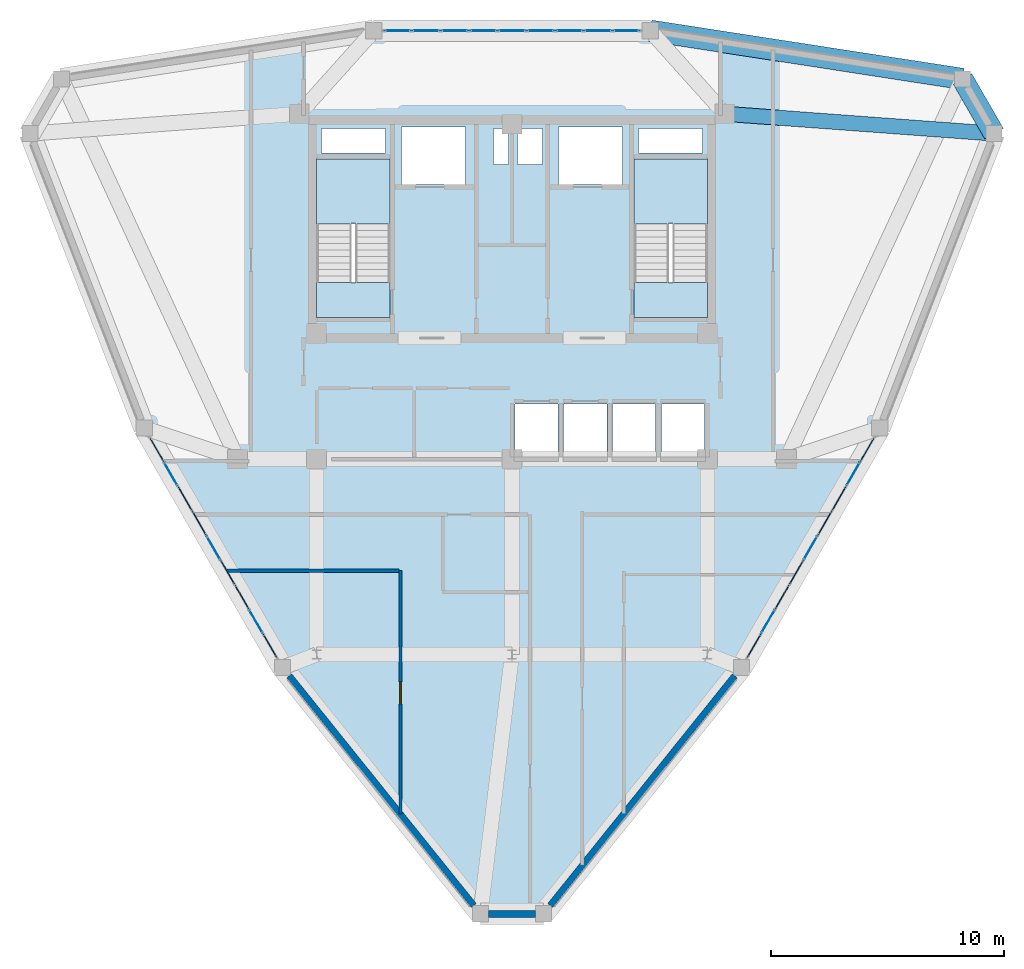
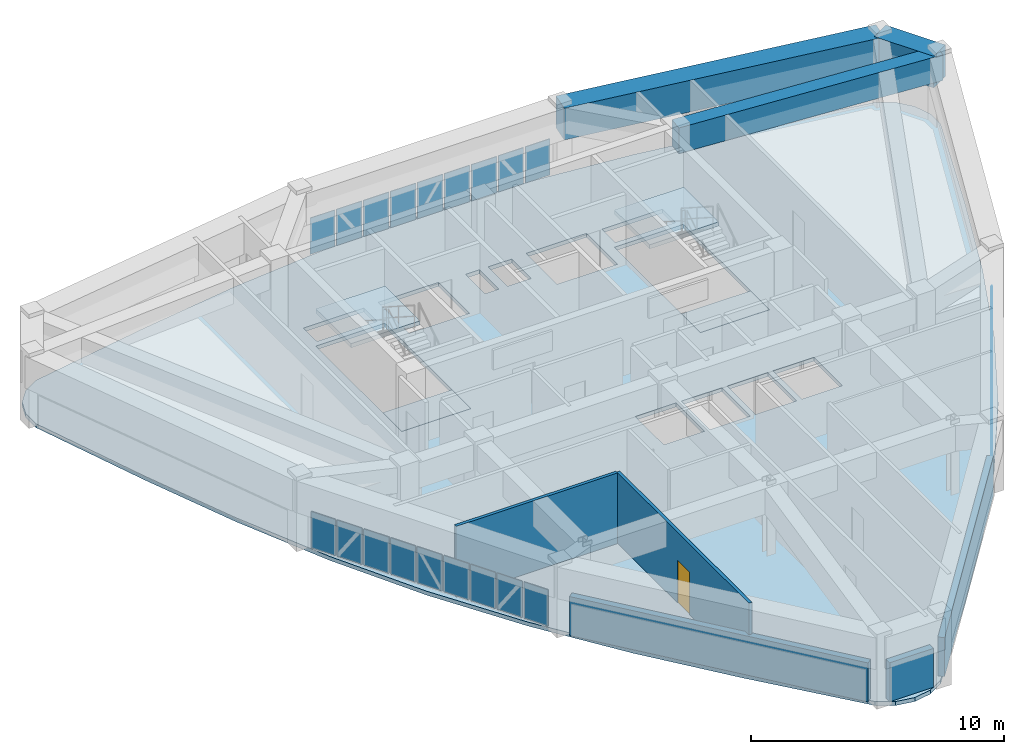
# One storey, part 10 of 14: 27 plates, 5 slabs, 5 walls, 3 beams, 1 door, 1 opening, 5 elements without a shape of their own.
"""IFC4 building model written with IfcOpenShell, lengths in metres."""

from ifc_helpers import new_model, si_unit, derived_unit, direction, frame, frame_2d, origin, origin_2d, place, context, subcontext, project, spatial, polyline, rectangle, outline, extrude, source, transform, mapped, material, layer, layer_set, material_profile, profile_set, type_object, element, fill, aggregate, save


model = new_model("IFC4")

# Units and contexts
model_context = context("Model", 3, precision=1e-05, world=origin(), true_north=direction((0.0, 1.0)))
body_context = subcontext(model_context, "Body", "Model", "MODEL_VIEW")
ifc_project = project(units=[si_unit("LENGTHUNIT", "METRE"), si_unit("AREAUNIT", "SQUARE_METRE"), si_unit("VOLUMEUNIT", "CUBIC_METRE"), si_unit("PLANEANGLEUNIT", "RADIAN"), si_unit("MASSUNIT", "GRAM", prefix="KILO"), derived_unit("THERMALTRANSMITTANCEUNIT", [(si_unit("POWERUNIT", "WATT"), 1), (si_unit("LENGTHUNIT", "METRE"), -2), (si_unit("THERMODYNAMICTEMPERATUREUNIT", "KELVIN"), -1)])], contexts=[model_context])

# Site, building, storey
site_placement = place(None, origin())
site = spatial("IfcSite", under=ifc_project, at=site_placement, CompositionType="ELEMENT")
building_placement = place(site_placement, origin())
building = spatial("IfcBuilding", under=site, at=building_placement, Name="Korsvarv Bourse and Concert Hall", CompositionType="ELEMENT")
storey_placement = place(building_placement, frame((0.0, 0.0, 257.39990234375)))
storey = spatial("IfcBuildingStorey", under=building, at=storey_placement, Name="L67", CompositionType="ELEMENT", Elevation=257.39990234375)

# Beams
ifc_material_1 = material(Name="Concrete C50/60", Category="concrete")
ifc_material_profile_1 = material_profile(ifc_material_1, rectangle(XDim=0.919921875, YDim=1.530029296875, at=origin_2d()), Name="RC-BM 920x1530")
ifc_profile_set_1 = profile_set([ifc_material_profile_1], Name="Concrete C50/60")
beam_type_1 = type_object("IfcBeamType", Name="BM-TR-154", PredefinedType="BEAM", material=ifc_profile_set_1)
shared_shape_1 = source(origin(), body_context, "Body", "SweptSolid", [
    extrude(rectangle(XDim=0.919921875, YDim=1.530029296875, at=origin_2d()), origin(), (0.0, 0.0, 1.0), 2.71337890625),
])
beam_1_placement = place(storey_placement, frame((56.72509765625, 46.399169921875, 2.64501953125), z_axis=(-0.500000246922, 0.866025261224, 0.0), x_axis=(-0.866025261224, -0.500000246922, 0.0)))
element("IfcBeam", 1, at=beam_1_placement, inside=storey, type_object=beam_type_1, Name="L67 beam B-TR6", PredefinedType="BEAM", context=body_context, shape_type="MappedRepresentation", body=[
    mapped(shared_shape_1, transform((0.0, 0.0, 0.0), scale=1.0)),
])
shared_shape_2 = source(origin(), body_context, "Body", "SweptSolid", [
    extrude(rectangle(XDim=0.919921875, YDim=1.530029296875, at=origin_2d()), origin(), (0.0, 0.0, 1.0), 13.581787109375),
])
beam_2_placement = place(storey_placement, frame((55.368408203125, 48.7490234375, 2.64501953125), z_axis=(-0.988275075433, 0.152683906414, 0.0), x_axis=(-0.152683906414, -0.988275075433, 0.0)))
element("IfcBeam", 2, at=beam_2_placement, inside=storey, type_object=beam_type_1, Name="L67 beam B-TR6", PredefinedType="BEAM", context=body_context, shape_type="MappedRepresentation", body=[
    mapped(shared_shape_2, transform((0.0, 0.0, 0.0), scale=1.0)),
])
ifc_material_profile_2 = material_profile(ifc_material_1, rectangle(XDim=0.64990234375, YDim=1.239990234375, at=origin_2d()), Name="RC-BM 650x1240")
ifc_profile_set_2 = profile_set([ifc_material_profile_2], Name="Concrete C50/60")
beam_type_2 = type_object("IfcBeamType", Name="BM-TR-SPN", PredefinedType="BEAM", material=ifc_profile_set_2)
shared_shape_3 = source(origin(), body_context, "Body", "SweptSolid", [
    extrude(rectangle(XDim=0.64990234375, YDim=1.239990234375, at=origin_2d()), origin(), (0.0, 0.0, 1.0), 11.6064453125),
])
beam_3_placement = place(storey_placement, frame((56.72509765625, 46.399169921875, 2.7900390625), z_axis=(-0.997309434835, 0.073306829081, 0.0), x_axis=(-0.073306829081, -0.997309434835, 0.0)))
element("IfcBeam", 3, at=beam_3_placement, inside=storey, type_object=beam_type_2, Name="L67 beam B-TRS", PredefinedType="BEAM", context=body_context, shape_type="MappedRepresentation", body=[
    mapped(shared_shape_3, transform((0.0, 0.0, 0.0), scale=1.0)),
])

# Slabs
ifc_material_2 = material(Name="Precast concrete C45/55", Category="concrete")
ifc_layer_1 = layer(ifc_material_2, 0.199951171875)
ifc_layer_set_1 = layer_set([ifc_layer_1], Name="Precast concrete C45/55")
slab_type_1 = type_object("IfcSlabType", Name="SLB-FLND-T", PredefinedType="LANDING", material=ifc_layer_set_1)
slab_1_placement = place(storey_placement, frame((0.0, 0.0, -0.199951171875)))
element("IfcSlab", 4, at=slab_1_placement, inside=storey, type_object=slab_type_1, Name="L67 Stair ST-T1 Floor Landing Slab", PredefinedType="LANDING", context=body_context, shape_type="SweptSolid", body=[
    extrude(outline(polyline([(30.760009765625, 38.5), (30.760009765625, 40.0), (27.60009765625, 40.0), (27.60009765625, 38.5), (30.760009765625, 38.5)])), origin(), (0.0, 0.0, 1.0), 0.199951171875),
])
slab_2_placement = place(storey_placement, frame((0.0, 0.0, -0.199951171875)))
element("IfcSlab", 5, at=slab_2_placement, inside=storey, type_object=slab_type_1, Name="L67 Stair ST-T2 Floor Landing Slab", PredefinedType="LANDING", context=body_context, shape_type="SweptSolid", body=[
    extrude(outline(polyline([(44.39990234375, 38.5), (44.39990234375, 40.0), (41.239990234375, 40.0), (41.239990234375, 38.5), (44.39990234375, 38.5)])), origin(), (0.0, 0.0, 1.0), 0.199951171875),
])

# Stair, slab
stair_type = type_object("IfcStairType", Name="STR-TYPE-04", PredefinedType="HALF_TURN_STAIR", material=ifc_material_2)
stair_1_placement = place(storey_placement, origin())
stair_1 = element("IfcStair", 6, at=stair_1_placement, inside=storey, type_object=stair_type, Name="L67 Tower West Exit Stair ST-T1", PredefinedType="HALF_TURN_STAIR")
ifc_layer_2 = layer(ifc_material_2, 0.199951171875)
ifc_layer_set_2 = layer_set([ifc_layer_2], Name="Precast concrete C45/55")
slab_type_2 = type_object("IfcSlabType", Name="SLB-ST-LND", PredefinedType="LANDING", material=ifc_layer_set_2)
slab_3_placement = place(storey_placement, frame((0.0, 0.0, 1.60009765625)))
slab_3 = element("IfcSlab", 7, at=slab_3_placement, type_object=slab_type_2, Name="ST-T1 landing 1", PredefinedType="LANDING", context=body_context, shape_type="SweptSolid", body=[
    extrude(outline(polyline([(30.760009765625, 42.52001953125), (30.760009765625, 45.300048828125), (27.60009765625, 45.300048828125), (27.60009765625, 42.52001953125), (30.760009765625, 42.52001953125)])), origin(), (0.0, 0.0, 1.0), 0.199951171875),
])
aggregate(stair_1, [slab_3])

stair_2_placement = place(storey_placement, origin())
stair_2 = element("IfcStair", 8, at=stair_2_placement, inside=storey, type_object=stair_type, Name="L67 Tower East Exit Stair ST-T2", PredefinedType="HALF_TURN_STAIR")
slab_4_placement = place(storey_placement, frame((0.0, 0.0, 1.60009765625)))
slab_4 = element("IfcSlab", 9, at=slab_4_placement, type_object=slab_type_2, Name="ST-T2 landing 1", PredefinedType="LANDING", context=body_context, shape_type="SweptSolid", body=[
    extrude(outline(polyline([(44.39990234375, 42.52001953125), (44.39990234375, 45.300048828125), (41.239990234375, 45.300048828125), (41.239990234375, 42.52001953125), (44.39990234375, 42.52001953125)])), origin(), (0.0, 0.0, 1.0), 0.199951171875),
])
aggregate(stair_2, [slab_4])

# Slab
ifc_material_3 = material(Name="Concrete C45/55", Category="concrete")
ifc_layer_3 = layer(ifc_material_3, 0.18994140625)
ifc_layer_set_3 = layer_set([ifc_layer_3], Name="Concrete C45/55")
slab_type_3 = type_object("IfcSlabType", Name="SLB-TW3", PredefinedType="FLOOR", material=ifc_layer_set_3)
slab_5_placement = place(storey_placement, frame((0.0, 0.0, -0.18994140625)))
element("IfcSlab", 10, at=slab_5_placement, inside=storey, type_object=slab_type_3, Name="L67 tower structural floor slab", PredefinedType="FLOOR", context=body_context, shape_type="SweptSolid", body=[
    extrude(outline(polyline([(56.33544921875, 45.296142578125), (54.7470703125, 40.9228515625), (53.059814453125, 36.63134765625), (51.1826171875, 32.468994140625), (49.05419921875, 28.463134765625), (46.6494140625, 24.61669921875), (43.983154296875, 20.91015625), (41.110107421875, 17.302978515625), (38.11669921875, 13.740478515625), (37.496826171875, 13.001953125), (36.79638671875, 12.59765625), (36.0, 12.457275390625), (35.20361328125, 12.59765625), (34.503173828125, 13.001953125), (33.883056640625, 13.740966796875), (30.889892578125, 17.302978515625), (28.016845703125, 20.91015625), (25.3505859375, 24.61669921875), (22.94580078125, 28.463134765625), (20.8173828125, 32.468994140625), (18.940185546875, 36.63134765625), (17.2529296875, 40.9228515625), (15.664306640625, 45.296875), (15.334716796875, 46.20263671875), (15.334716796875, 47.011474609375), (15.611328125, 47.771484375), (16.131103515625, 48.39111328125), (16.83154296875, 48.79541015625), (17.781494140625, 48.962890625), (22.363037109375, 49.774169921875), (26.92333984375, 50.45849609375), (31.466552734375, 50.9140625), (36.0, 51.07373046875), (40.533447265625, 50.9140625), (45.07666015625, 50.45849609375), (49.636962890625, 49.774169921875), (54.218994140625, 48.962890625), (55.16845703125, 48.79541015625), (55.868896484375, 48.39111328125), (56.388671875, 47.771484375), (56.665283203125, 47.011474609375), (56.665283203125, 46.20263671875), (56.33544921875, 45.296142578125)]), holes=[polyline([(30.760009765625, 38.5), (30.760009765625, 45.300048828125), (27.60009765625, 45.300048828125), (27.60009765625, 38.5), (30.760009765625, 38.5)]), polyline([(44.39990234375, 38.5), (44.39990234375, 45.300048828125), (41.239990234375, 45.300048828125), (41.239990234375, 38.5), (44.39990234375, 38.5)]), polyline([(31.239990234375, 44.219970703125), (34.0, 44.219970703125), (34.0, 46.679931640625), (31.239990234375, 46.679931640625), (31.239990234375, 44.219970703125)]), polyline([(38.0, 44.219970703125), (40.760009765625, 44.219970703125), (40.760009765625, 46.679931640625), (38.0, 46.679931640625), (38.0, 44.219970703125)]), polyline([(36.1201171875, 32.52001953125), (37.97998046875, 32.52001953125), (37.97998046875, 34.780029296875), (36.1201171875, 34.780029296875), (36.1201171875, 32.52001953125)]), polyline([(38.219970703125, 32.52001953125), (40.080078125, 32.52001953125), (40.080078125, 34.780029296875), (38.219970703125, 34.780029296875), (38.219970703125, 32.52001953125)]), polyline([(40.320068359375, 32.52001953125), (42.179931640625, 32.52001953125), (42.179931640625, 34.780029296875), (40.320068359375, 34.780029296875), (40.320068359375, 32.52001953125)]), polyline([(42.419921875, 32.52001953125), (44.280029296875, 32.52001953125), (44.280029296875, 34.780029296875), (42.419921875, 34.780029296875), (42.419921875, 32.52001953125)]), polyline([(27.800048828125, 45.56005859375), (30.56005859375, 45.56005859375), (30.56005859375, 46.6201171875), (27.800048828125, 46.6201171875), (27.800048828125, 45.56005859375)]), polyline([(41.43994140625, 45.56005859375), (44.199951171875, 45.56005859375), (44.199951171875, 46.6201171875), (41.43994140625, 46.6201171875), (41.43994140625, 45.56005859375)]), polyline([(35.199951171875, 45.080078125), (35.840087890625, 45.080078125), (35.840087890625, 46.6201171875), (35.199951171875, 46.6201171875), (35.199951171875, 45.080078125)]), polyline([(36.239990234375, 45.080078125), (37.320068359375, 45.080078125), (37.320068359375, 46.6201171875), (36.239990234375, 46.6201171875), (36.239990234375, 45.080078125)])]), origin(), (0.0, 0.0, 1.0), 0.18994140625),
])

# Curtain wall, plates
ifc_material_4 = material(Name="Anodised aluminium and triple low-E glazing", Category="glass")
ifc_layer_4 = layer(ifc_material_4, 0.199951171875)
ifc_layer_set_4 = layer_set([ifc_layer_4], Name="Anodised aluminium and triple low-E glazing")
curtain_wall_type = type_object("IfcCurtainWallType", Name="CW-SYS-3", PredefinedType="NOTDEFINED", material=ifc_layer_set_4)
curtain_wall_1_placement = place(storey_placement, origin())
curtain_wall_1 = element("IfcCurtainWall", 11, at=curtain_wall_1_placement, inside=storey, type_object=curtain_wall_type, Name="L67 CW3 curtain wall CW-L67-F03", PredefinedType="NOTDEFINED")
ifc_material_5 = material(Name="Tempered triple insulated low-E architectural glass", Category="glass")
ifc_layer_5 = layer(ifc_material_5, 0.0380859375)
ifc_layer_set_5 = layer_set([ifc_layer_5], Name="Tempered triple insulated low-E architectural glass")
plate_type_1 = type_object("IfcPlateType", Name="CWP-VIS2", PredefinedType="CURTAIN_PANEL", material=ifc_layer_set_5)
shared_shape_4 = source(origin(), body_context, "Body", "SweptSolid", [
    extrude(rectangle(XDim=1.12744140625, YDim=0.0380859375, at=origin_2d()), origin(), (0.0, 0.0, 1.0), 1.75),
])
plate_1_placement = place(storey_placement, frame((40.912109375, 50.82275390625, 0.065185546875), z_axis=(0.0, 0.0, 1.0), x_axis=(-1.0, 0.0, 0.0)))
plate_1 = element("IfcPlate", 12, at=plate_1_placement, type_object=plate_type_1, Name="CW3 faceted panel 1.1", PredefinedType="CURTAIN_PANEL", context=body_context, shape_type="MappedRepresentation", body=[
    mapped(shared_shape_4, transform((0.0, 0.0, 0.0), scale=1.0)),
])
plate_2_placement = place(storey_placement, frame((31.087890625, 50.82275390625, 0.065185546875), z_axis=(0.0, 0.0, 1.0), x_axis=(-1.0, 0.0, 0.0)))
plate_2 = element("IfcPlate", 13, at=plate_2_placement, type_object=plate_type_1, Name="CW3 faceted panel 9.1", PredefinedType="CURTAIN_PANEL", context=body_context, shape_type="MappedRepresentation", body=[
    mapped(shared_shape_4, transform((0.0, 0.0, 0.0), scale=1.0)),
])
ifc_material_6 = material(Name="Insulated spandrel glass", Category="glass")
ifc_layer_6 = layer(ifc_material_6, 0.031982421875)
ifc_layer_set_6 = layer_set([ifc_layer_6], Name="Insulated spandrel glass")
plate_type_2 = type_object("IfcPlateType", Name="CWP-SPD1", PredefinedType="CURTAIN_PANEL", material=ifc_layer_set_6)
shared_shape_5 = source(origin(), body_context, "Body", "SweptSolid", [
    extrude(rectangle(XDim=1.162353515625, YDim=0.031982421875, at=origin_2d()), origin(), (0.0, 0.0, 1.0), 1.75),
])
plate_3_placement = place(storey_placement, frame((39.697021484375, 50.82275390625, 0.065185546875), z_axis=(0.0, 0.0, 1.0), x_axis=(-1.0, 0.0, 0.0)))
plate_3 = element("IfcPlate", 14, at=plate_3_placement, type_object=plate_type_2, Name="CW3 spandrel shadow-box panel 2.1", PredefinedType="CURTAIN_PANEL", context=body_context, shape_type="MappedRepresentation", body=[
    mapped(shared_shape_5, transform((0.0, 0.0, 0.0), scale=1.0)),
])
plate_4_placement = place(storey_placement, frame((36.0, 50.82275390625, 0.065185546875), z_axis=(0.0, 0.0, 1.0), x_axis=(-1.0, 0.0, 0.0)))
plate_4 = element("IfcPlate", 15, at=plate_4_placement, type_object=plate_type_2, Name="CW3 spandrel shadow-box panel 5.1", PredefinedType="CURTAIN_PANEL", context=body_context, shape_type="MappedRepresentation", body=[
    mapped(shared_shape_5, transform((0.0, 0.0, 0.0), scale=1.0)),
])
plate_5_placement = place(storey_placement, frame((32.302978515625, 50.82275390625, 0.065185546875), z_axis=(0.0, 0.0, 1.0), x_axis=(-1.0, 0.0, 0.0)))
plate_5 = element("IfcPlate", 16, at=plate_5_placement, type_object=plate_type_2, Name="CW3 spandrel shadow-box panel 8.1", PredefinedType="CURTAIN_PANEL", context=body_context, shape_type="MappedRepresentation", body=[
    mapped(shared_shape_5, transform((0.0, 0.0, 0.0), scale=1.0)),
])
shared_shape_6 = source(origin(), body_context, "Body", "SweptSolid", [
    extrude(rectangle(XDim=1.162353515625, YDim=0.0380859375, at=origin_2d()), origin(), (0.0, 0.0, 1.0), 1.75),
])
plate_6_placement = place(storey_placement, frame((38.46484375, 50.82275390625, 0.065185546875), z_axis=(0.0, 0.0, 1.0), x_axis=(-1.0, 0.0, 0.0)))
plate_6 = element("IfcPlate", 17, at=plate_6_placement, type_object=plate_type_1, Name="CW3 faceted panel 3.1", PredefinedType="CURTAIN_PANEL", context=body_context, shape_type="MappedRepresentation", body=[
    mapped(shared_shape_6, transform((0.0, 0.0, 0.0), scale=1.0)),
])
plate_7_placement = place(storey_placement, frame((37.232421875, 50.82275390625, 0.065185546875), z_axis=(0.0, 0.0, 1.0), x_axis=(-1.0, 0.0, 0.0)))
plate_7 = element("IfcPlate", 18, at=plate_7_placement, type_object=plate_type_1, Name="CW3 faceted panel 4.1", PredefinedType="CURTAIN_PANEL", context=body_context, shape_type="MappedRepresentation", body=[
    mapped(shared_shape_6, transform((0.0, 0.0, 0.0), scale=1.0)),
])
plate_8_placement = place(storey_placement, frame((34.767578125, 50.82275390625, 0.065185546875), z_axis=(0.0, 0.0, 1.0), x_axis=(-1.0, 0.0, 0.0)))
plate_8 = element("IfcPlate", 19, at=plate_8_placement, type_object=plate_type_1, Name="CW3 faceted panel 6.1", PredefinedType="CURTAIN_PANEL", context=body_context, shape_type="MappedRepresentation", body=[
    mapped(shared_shape_6, transform((0.0, 0.0, 0.0), scale=1.0)),
])
plate_9_placement = place(storey_placement, frame((33.53515625, 50.82275390625, 0.065185546875), z_axis=(0.0, 0.0, 1.0), x_axis=(-1.0, 0.0, 0.0)))
plate_9 = element("IfcPlate", 20, at=plate_9_placement, type_object=plate_type_1, Name="CW3 faceted panel 7.1", PredefinedType="CURTAIN_PANEL", context=body_context, shape_type="MappedRepresentation", body=[
    mapped(shared_shape_6, transform((0.0, 0.0, 0.0), scale=1.0)),
])
aggregate(curtain_wall_1, [plate_1, plate_3, plate_6, plate_7, plate_4, plate_8, plate_9, plate_5, plate_2])

curtain_wall_2_placement = place(storey_placement, origin())
curtain_wall_2 = element("IfcCurtainWall", 21, at=curtain_wall_2_placement, inside=storey, type_object=curtain_wall_type, Name="L67 CW3 curtain wall CW-L67-F07", PredefinedType="NOTDEFINED")
shared_shape_7 = source(origin(), body_context, "Body", "SweptSolid", [
    extrude(rectangle(XDim=1.113525390625, YDim=0.0380859375, at=origin_2d()), origin(), (0.0, 0.0, 1.0), 1.75),
])
plate_10_placement = place(storey_placement, frame((20.734619140625, 32.794921875, 0.065185546875), z_axis=(0.0, 0.0, 1.0), x_axis=(0.500003688417, -0.866023274265, 0.0)))
plate_10 = element("IfcPlate", 22, at=plate_10_placement, type_object=plate_type_1, Name="CW3 faceted panel 1.1", PredefinedType="CURTAIN_PANEL", context=body_context, shape_type="MappedRepresentation", body=[
    mapped(shared_shape_7, transform((0.0, 0.0, 0.0), scale=1.0)),
])
plate_11_placement = place(storey_placement, frame((25.591796875, 24.38232421875, 0.065185546875), z_axis=(0.0, 0.0, 1.0), x_axis=(0.500003688417, -0.866023274265, 0.0)))
plate_11 = element("IfcPlate", 23, at=plate_11_placement, type_object=plate_type_1, Name="CW3 faceted panel 9.1", PredefinedType="CURTAIN_PANEL", context=body_context, shape_type="MappedRepresentation", body=[
    mapped(shared_shape_7, transform((0.0, 0.0, 0.0), scale=1.0)),
])

curtain_wall_3_placement = place(storey_placement, origin())
curtain_wall_3 = element("IfcCurtainWall", 24, at=curtain_wall_3_placement, inside=storey, type_object=curtain_wall_type, Name="L67 CW3 curtain wall CW-L67-F11", PredefinedType="NOTDEFINED")
plate_12_placement = place(storey_placement, frame((46.408203125, 24.38232421875, 0.065185546875), z_axis=(0.0, 0.0, 1.0), x_axis=(0.500003688417, 0.866023274265, 0.0)))
plate_12 = element("IfcPlate", 25, at=plate_12_placement, type_object=plate_type_1, Name="CW3 faceted panel 1.1", PredefinedType="CURTAIN_PANEL", context=body_context, shape_type="MappedRepresentation", body=[
    mapped(shared_shape_7, transform((0.0, 0.0, 0.0), scale=1.0)),
])
plate_13_placement = place(storey_placement, frame((51.265380859375, 32.794921875, 0.065185546875), z_axis=(0.0, 0.0, 1.0), x_axis=(0.500003688417, 0.866023274265, 0.0)))
plate_13 = element("IfcPlate", 26, at=plate_13_placement, type_object=plate_type_1, Name="CW3 faceted panel 9.1", PredefinedType="CURTAIN_PANEL", context=body_context, shape_type="MappedRepresentation", body=[
    mapped(shared_shape_7, transform((0.0, 0.0, 0.0), scale=1.0)),
])

# Plate
shared_shape_8 = source(origin(), body_context, "Body", "SweptSolid", [
    extrude(rectangle(XDim=1.148681640625, YDim=0.031982421875, at=origin_2d()), origin(), (0.0, 0.0, 1.0), 1.75),
])
plate_14_placement = place(storey_placement, frame((21.335205078125, 31.754638671875, 0.065185546875), z_axis=(0.0, 0.0, 1.0), x_axis=(0.500003688417, -0.866023274265, 0.0)))
plate_14 = element("IfcPlate", 27, at=plate_14_placement, type_object=plate_type_2, Name="CW3 spandrel shadow-box panel 2.1", PredefinedType="CURTAIN_PANEL", context=body_context, shape_type="MappedRepresentation", body=[
    mapped(shared_shape_8, transform((0.0, 0.0, 0.0), scale=1.0)),
])

plate_15_placement = place(storey_placement, frame((23.1630859375, 28.588623046875, 0.065185546875), z_axis=(0.0, 0.0, 1.0), x_axis=(0.500003688417, -0.866023274265, 0.0)))
plate_15 = element("IfcPlate", 28, at=plate_15_placement, type_object=plate_type_2, Name="CW3 spandrel shadow-box panel 5.1", PredefinedType="CURTAIN_PANEL", context=body_context, shape_type="MappedRepresentation", body=[
    mapped(shared_shape_8, transform((0.0, 0.0, 0.0), scale=1.0)),
])

plate_16_placement = place(storey_placement, frame((24.9912109375, 25.422607421875, 0.065185546875), z_axis=(0.0, 0.0, 1.0), x_axis=(0.500003688417, -0.866023274265, 0.0)))
plate_16 = element("IfcPlate", 29, at=plate_16_placement, type_object=plate_type_2, Name="CW3 spandrel shadow-box panel 8.1", PredefinedType="CURTAIN_PANEL", context=body_context, shape_type="MappedRepresentation", body=[
    mapped(shared_shape_8, transform((0.0, 0.0, 0.0), scale=1.0)),
])

plate_17_placement = place(storey_placement, frame((47.0087890625, 25.422607421875, 0.065185546875), z_axis=(0.0, 0.0, 1.0), x_axis=(0.500003688417, 0.866023274265, 0.0)))
plate_17 = element("IfcPlate", 30, at=plate_17_placement, type_object=plate_type_2, Name="CW3 spandrel shadow-box panel 2.1", PredefinedType="CURTAIN_PANEL", context=body_context, shape_type="MappedRepresentation", body=[
    mapped(shared_shape_8, transform((0.0, 0.0, 0.0), scale=1.0)),
])

plate_18_placement = place(storey_placement, frame((48.8369140625, 28.588623046875, 0.065185546875), z_axis=(0.0, 0.0, 1.0), x_axis=(0.500003688417, 0.866023274265, 0.0)))
plate_18 = element("IfcPlate", 31, at=plate_18_placement, type_object=plate_type_2, Name="CW3 spandrel shadow-box panel 5.1", PredefinedType="CURTAIN_PANEL", context=body_context, shape_type="MappedRepresentation", body=[
    mapped(shared_shape_8, transform((0.0, 0.0, 0.0), scale=1.0)),
])

plate_19_placement = place(storey_placement, frame((50.664794921875, 31.754638671875, 0.065185546875), z_axis=(0.0, 0.0, 1.0), x_axis=(0.500003688417, 0.866023274265, 0.0)))
plate_19 = element("IfcPlate", 32, at=plate_19_placement, type_object=plate_type_2, Name="CW3 spandrel shadow-box panel 8.1", PredefinedType="CURTAIN_PANEL", context=body_context, shape_type="MappedRepresentation", body=[
    mapped(shared_shape_8, transform((0.0, 0.0, 0.0), scale=1.0)),
])

shared_shape_9 = source(origin(), body_context, "Body", "SweptSolid", [
    extrude(rectangle(XDim=1.148681640625, YDim=0.0380859375, at=origin_2d()), origin(), (0.0, 0.0, 1.0), 1.75),
])
plate_20_placement = place(storey_placement, frame((21.944580078125, 30.699462890625, 0.065185546875), z_axis=(0.0, 0.0, 1.0), x_axis=(0.500003688417, -0.866023274265, 0.0)))
plate_20 = element("IfcPlate", 33, at=plate_20_placement, type_object=plate_type_1, Name="CW3 faceted panel 3.1", PredefinedType="CURTAIN_PANEL", context=body_context, shape_type="MappedRepresentation", body=[
    mapped(shared_shape_9, transform((0.0, 0.0, 0.0), scale=1.0)),
])

plate_21_placement = place(storey_placement, frame((22.5537109375, 29.64404296875, 0.065185546875), z_axis=(0.0, 0.0, 1.0), x_axis=(0.500003688417, -0.866023274265, 0.0)))
plate_21 = element("IfcPlate", 34, at=plate_21_placement, type_object=plate_type_1, Name="CW3 faceted panel 4.1", PredefinedType="CURTAIN_PANEL", context=body_context, shape_type="MappedRepresentation", body=[
    mapped(shared_shape_9, transform((0.0, 0.0, 0.0), scale=1.0)),
])

plate_22_placement = place(storey_placement, frame((23.7724609375, 27.533203125, 0.065185546875), z_axis=(0.0, 0.0, 1.0), x_axis=(0.500003688417, -0.866023274265, 0.0)))
plate_22 = element("IfcPlate", 35, at=plate_22_placement, type_object=plate_type_1, Name="CW3 faceted panel 6.1", PredefinedType="CURTAIN_PANEL", context=body_context, shape_type="MappedRepresentation", body=[
    mapped(shared_shape_9, transform((0.0, 0.0, 0.0), scale=1.0)),
])

plate_23_placement = place(storey_placement, frame((24.3818359375, 26.47802734375, 0.065185546875), z_axis=(0.0, 0.0, 1.0), x_axis=(0.500003688417, -0.866023274265, 0.0)))
plate_23 = element("IfcPlate", 36, at=plate_23_placement, type_object=plate_type_1, Name="CW3 faceted panel 7.1", PredefinedType="CURTAIN_PANEL", context=body_context, shape_type="MappedRepresentation", body=[
    mapped(shared_shape_9, transform((0.0, 0.0, 0.0), scale=1.0)),
])

aggregate(curtain_wall_2, [plate_10, plate_14, plate_20, plate_21, plate_15, plate_22, plate_23, plate_16, plate_11])

plate_24_placement = place(storey_placement, frame((47.6181640625, 26.47802734375, 0.065185546875), z_axis=(0.0, 0.0, 1.0), x_axis=(0.500003688417, 0.866023274265, 0.0)))
plate_24 = element("IfcPlate", 37, at=plate_24_placement, type_object=plate_type_1, Name="CW3 faceted panel 3.1", PredefinedType="CURTAIN_PANEL", context=body_context, shape_type="MappedRepresentation", body=[
    mapped(shared_shape_9, transform((0.0, 0.0, 0.0), scale=1.0)),
])

plate_25_placement = place(storey_placement, frame((48.2275390625, 27.533203125, 0.065185546875), z_axis=(0.0, 0.0, 1.0), x_axis=(0.500003688417, 0.866023274265, 0.0)))
plate_25 = element("IfcPlate", 38, at=plate_25_placement, type_object=plate_type_1, Name="CW3 faceted panel 4.1", PredefinedType="CURTAIN_PANEL", context=body_context, shape_type="MappedRepresentation", body=[
    mapped(shared_shape_9, transform((0.0, 0.0, 0.0), scale=1.0)),
])

plate_26_placement = place(storey_placement, frame((49.4462890625, 29.64404296875, 0.065185546875), z_axis=(0.0, 0.0, 1.0), x_axis=(0.500003688417, 0.866023274265, 0.0)))
plate_26 = element("IfcPlate", 39, at=plate_26_placement, type_object=plate_type_1, Name="CW3 faceted panel 6.1", PredefinedType="CURTAIN_PANEL", context=body_context, shape_type="MappedRepresentation", body=[
    mapped(shared_shape_9, transform((0.0, 0.0, 0.0), scale=1.0)),
])

plate_27_placement = place(storey_placement, frame((50.055419921875, 30.699462890625, 0.065185546875), z_axis=(0.0, 0.0, 1.0), x_axis=(0.500003688417, 0.866023274265, 0.0)))
plate_27 = element("IfcPlate", 40, at=plate_27_placement, type_object=plate_type_1, Name="CW3 faceted panel 7.1", PredefinedType="CURTAIN_PANEL", context=body_context, shape_type="MappedRepresentation", body=[
    mapped(shared_shape_9, transform((0.0, 0.0, 0.0), scale=1.0)),
])

aggregate(curtain_wall_3, [plate_12, plate_17, plate_24, plate_25, plate_18, plate_26, plate_27, plate_19, plate_13])

# Walls
ifc_material_7 = material(Name="Precast concrete C45/55 with terracotta rainscreen", Category="concrete")
ifc_layer_7 = layer(ifc_material_7, 0.300048828125)
ifc_layer_set_7 = layer_set([ifc_layer_7], Name="Precast concrete C45/55 with terracotta rainscreen")
wall_type_1 = type_object("IfcWallType", Name="WL-EXT-TC1", PredefinedType="SOLIDWALL", material=ifc_layer_set_7)
wall_1_placement = place(storey_placement, frame((34.998291015625, 12.851806640625, 0.0), z_axis=(0.0, 0.0, 1.0), x_axis=(1.0, 0.0, 0.0)))
element("IfcWall", 41, at=wall_1_placement, inside=storey, type_object=wall_type_1, Name="L67 terracotta exterior wall EW-L67-B09", PredefinedType="SOLIDWALL", context=body_context, shape_type="SweptSolid", body=[
    extrude(rectangle(XDim=2.00341796875, YDim=0.300048828125, at=frame_2d((1.001708984375, 0.0))), origin(), (0.0, 0.0, 1.0), 1.880126953125),
])
ifc_material_8 = material(Name="Precast concrete C45/55 with fluted terracotta pier", Category="concrete")
ifc_layer_8 = layer(ifc_material_8, 0.280029296875)
ifc_layer_set_8 = layer_set([ifc_layer_8], Name="Precast concrete C45/55 with fluted terracotta pier")
wall_type_2 = type_object("IfcWallType", Name="WL-EXT-TC2", PredefinedType="SOLIDWALL", material=ifc_layer_set_8)
for number, where, z_axis, x_axis, name in (
    (42, (26.421142578125, 23.08447265625, 0.0), (0.0, 0.0, 1.0), (0.626371247501, -0.77952489396, 0.0), "L67 terracotta exterior wall EW-L67-B08"),
    (43, (37.641845703125, 13.206787109375, 0.0), (0.0, 0.0, 1.0), (0.626371247501, 0.77952489396, 0.0), "L67 terracotta exterior wall EW-L67-B10"),
):
    element("IfcWall", number, at=place(storey_placement, frame(where, z_axis=z_axis, x_axis=x_axis)), inside=storey, type_object=wall_type_2, Name=name, PredefinedType="SOLIDWALL", context=body_context, shape_type="SweptSolid", body=[
        extrude(rectangle(XDim=12.67138671875, YDim=0.280029296875, at=frame_2d((6.335693359375, 0.0))), origin(), (0.0, 0.0, 1.0), 1.880126953125),
    ])

# Wall, opening, door
ifc_material_9 = material(Name="Insulated steel-stud office acoustic partition", Category="gypsum")
ifc_layer_9 = layer(ifc_material_9, 0.139892578125)
ifc_layer_set_9 = layer_set([ifc_layer_9], Name="Insulated steel-stud office acoustic partition")
wall_type_3 = type_object("IfcWallType", Name="WL-INT-P1", PredefinedType="PARTITIONING", material=ifc_layer_set_9)
wall_2_placement = place(storey_placement, frame((31.205078125, 17.15087890625, 0.0), z_axis=(0.0, 0.0, 1.0), x_axis=(0.0, 1.0, 0.0)))
wall_2 = element("IfcWall", 44, at=wall_2_placement, inside=storey, type_object=wall_type_3, Name="L67 interior partition wall W-L67-TCOR-11", PredefinedType="PARTITIONING", context=body_context, shape_type="SweptSolid", body=[
    extrude(rectangle(XDim=10.459228515625, YDim=0.139892578125, at=frame_2d((5.2294921875, 0.0))), origin(), (0.0, 0.0, 1.0), 3.41015625),
])
opening_placement = place(wall_2_placement, frame((4.72265625, 0.0, 0.0)))
opening = element("IfcOpeningElement", 45, at=opening_placement, cuts=wall_2, Name="Opening D-03", PredefinedType="OPENING", context=body_context, shape_type="SweptSolid", body=[
    extrude(rectangle(XDim=0.949951171875, YDim=2.050048828125, at=frame_2d((0.47509765625, 1.02490234375))), frame((0.0, 0.080078125, 0.0), z_axis=(0.0, -1.0, 0.0), x_axis=(1.0, 0.0, 0.0)), (0.0, 0.0, 1.0), 0.159912109375),
])
ifc_material_10 = material(Name="Nordic oak acoustic office door", Category="wood")
door_type = type_object("IfcDoorType", Name="DR-INT-1", OperationType="NOTDEFINED", PredefinedType="DOOR", material=ifc_material_10)
door_placement = place(opening_placement, origin())
door = element("IfcDoor", 46, at=door_placement, inside=storey, type_object=door_type, Name="L67 interior door DR-L67-TCOR-SAPW5", OperationType="SINGLE_SWING_RIGHT", OverallHeight=2.050048828125, OverallWidth=0.949951171875, PredefinedType="DOOR", context=body_context, shape_type="SweptSolid", body=[
    extrude(rectangle(XDim=0.949951171875, YDim=2.050048828125, at=frame_2d((0.47509765625, 1.02490234375))), frame((0.0, 0.02490234375, 0.0), z_axis=(0.0, -1.0, 0.0), x_axis=(1.0, 0.0, 0.0)), (0.0, 0.0, 1.0), 0.050048828125),
])
fill(opening, door)

# Wall
wall_3_placement = place(storey_placement, frame((23.751220703125, 27.60498046875, 0.0), z_axis=(0.0, 0.0, 1.0), x_axis=(1.0, 0.0, 0.0)))
element("IfcWall", 47, at=wall_3_placement, inside=storey, type_object=wall_type_3, Name="L67 interior partition wall W-L67-TCOR-13", PredefinedType="PARTITIONING", context=body_context, shape_type="SweptSolid", body=[
    extrude(rectangle(XDim=7.3818359375, YDim=0.139892578125, at=frame_2d((3.69091796875, 0.0))), origin(), (0.0, 0.0, 1.0), 3.41015625),
])

save(model, "model.ifc")
